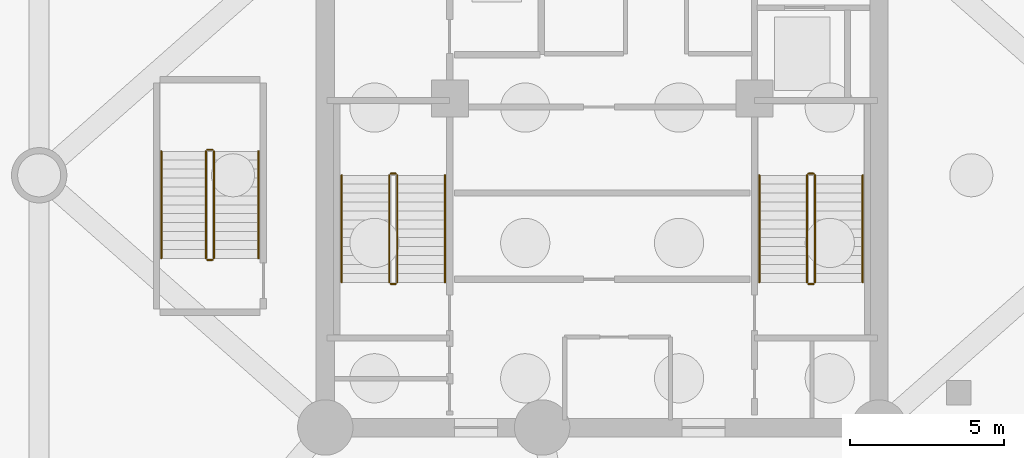
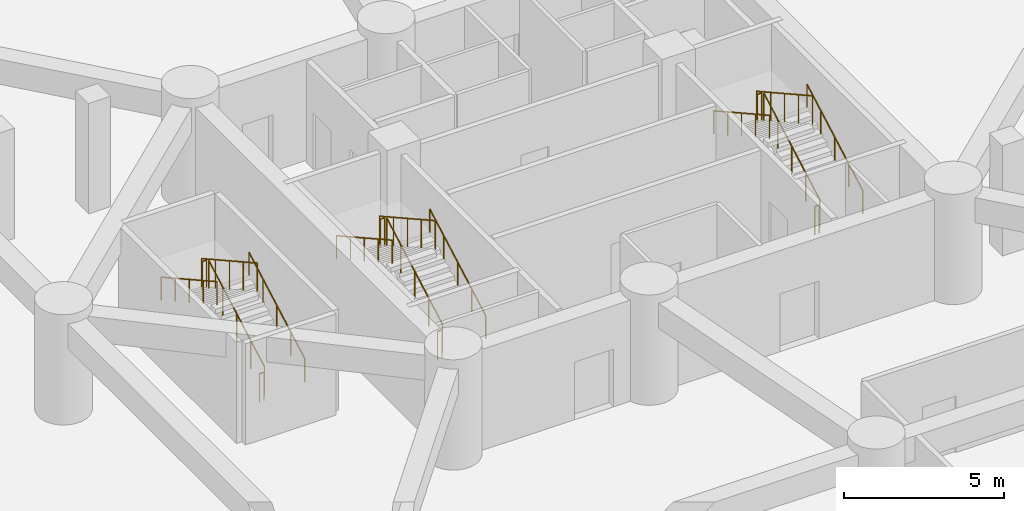
# One storey, part 9 of 13: 18 railings.
"""IFC4 building model written with IfcOpenShell, lengths in metres."""

from ifc_helpers import new_model, si_unit, direction, frame, origin, origin_2d, place, context, subcontext, project, spatial, circle, extrude, material, layer, layer_set, type_object, element, save


model = new_model("IFC4")

# Units and contexts
model_context = context("Model", 3, precision=1e-05, world=origin(), true_north=direction((0.0, 1.0)))
body_context = subcontext(model_context, "Body", "Model", "MODEL_VIEW")
ifc_project = project(units=[si_unit("LENGTHUNIT", "METRE"), si_unit("AREAUNIT", "SQUARE_METRE"), si_unit("VOLUMEUNIT", "CUBIC_METRE"), si_unit("PLANEANGLEUNIT", "RADIAN"), si_unit("MASSUNIT", "GRAM", prefix="KILO")], contexts=[model_context])

# Site, building, storey
site_placement = place(None, origin())
site = spatial("IfcSite", under=ifc_project, at=site_placement, CompositionType="ELEMENT")
building_placement = place(site_placement, origin())
building = spatial("IfcBuilding", under=site, at=building_placement, Name="Karkom Vertical University and Central Library", CompositionType="ELEMENT")
storey_placement = place(building_placement, frame((0.0, 0.0, -8.39990234375)))
storey = spatial("IfcBuildingStorey", under=building, at=storey_placement, Name="B02", CompositionType="ELEMENT", Elevation=-8.39990234375)

# Railings
ifc_material_1 = material(Name="Painted galvanised steel balustrade", Category="steel")
ifc_layer_1 = layer(ifc_material_1, 0.06005859375)
ifc_layer_set_1 = layer_set([ifc_layer_1], Name="Painted galvanised steel balustrade")
railing_type_1 = type_object("IfcRailingType", Name="INT-RL-GUARD1100", PredefinedType="GUARDRAIL", material=ifc_layer_set_1)
railing_1_placement = place(storey_placement, frame((21.840087890625, 23.02001953125, 0.161376953125)))
element("IfcRailing", 1, at=railing_1_placement, inside=storey, type_object=railing_type_1, Name="Basement 02 ST-1 stair guard 1", PredefinedType="GUARDRAIL", context=body_context, shape_type="SweptSolid", body=[
    extrude(circle(Radius=0.02392578125, at=origin_2d()), frame((0.0, 0.0, 1.076171875), z_axis=(0.0, 0.87360743253, 0.486631332559), x_axis=(-1.0, 0.0, 0.0)), (0.0, 0.0, 1.0), 3.9833984375),
    extrude(circle(Radius=0.02099609375, at=origin_2d()), origin(), (0.0, 0.0, 1.0), 1.052001953125),
    extrude(circle(Radius=0.02099609375, at=origin_2d()), frame((0.0, 0.8701171875, 0.484619140625)), (0.0, 0.0, 1.0), 1.052001953125),
    extrude(circle(Radius=0.02099609375, at=origin_2d()), frame((0.0, 1.739990234375, 0.96923828125)), (0.0, 0.0, 1.0), 1.052001953125),
    extrude(circle(Radius=0.02099609375, at=origin_2d()), frame((0.0, 2.60986328125, 1.453857421875)), (0.0, 0.0, 1.0), 1.052001953125),
    extrude(circle(Radius=0.02099609375, at=origin_2d()), frame((0.0, 3.47998046875, 1.9384765625)), (0.0, 0.0, 1.0), 1.052001953125),
])
railing_2_placement = place(storey_placement, frame((21.7900390625, 26.550048828125, 2.099853515625)))
element("IfcRailing", 2, at=railing_2_placement, inside=storey, type_object=railing_type_1, Name="Basement 02 ST-1 stair guard 2", PredefinedType="GUARDRAIL", context=body_context, shape_type="SweptSolid", body=[
    extrude(circle(Radius=0.02392578125, at=origin_2d()), frame((0.0, 0.0, 1.076171875), z_axis=(-1.0, 0.0, 0.0), x_axis=(0.0, -1.0, 0.0)), (0.0, 0.0, 1.0), 0.16015625),
    extrude(circle(Radius=0.02099609375, at=origin_2d()), origin(), (0.0, 0.0, 1.0), 1.052001953125),
    extrude(circle(Radius=0.02099609375, at=origin_2d()), frame((-0.16015625, 0.0, 0.0)), (0.0, 0.0, 1.0), 1.052001953125),
])
railing_3_placement = place(storey_placement, frame((21.580078125, 26.5, 2.261474609375)))
element("IfcRailing", 3, at=railing_3_placement, inside=storey, type_object=railing_type_1, Name="Basement 02 ST-1 stair guard 3", PredefinedType="GUARDRAIL", context=body_context, shape_type="SweptSolid", body=[
    extrude(circle(Radius=0.02392578125, at=origin_2d()), frame((0.0, 0.0, 1.076171875), z_axis=(0.0, -0.87360743253, 0.486631332559), x_axis=(1.0, 0.0, 0.0)), (0.0, 0.0, 1.0), 3.9833984375),
    extrude(circle(Radius=0.02099609375, at=origin_2d()), origin(), (0.0, 0.0, 1.0), 1.052001953125),
    extrude(circle(Radius=0.02099609375, at=origin_2d()), frame((0.0, -0.8701171875, 0.484619140625)), (0.0, 0.0, 1.0), 1.052001953125),
    extrude(circle(Radius=0.02099609375, at=origin_2d()), frame((0.0, -1.739990234375, 0.96923828125)), (0.0, 0.0, 1.0), 1.052001953125),
    extrude(circle(Radius=0.02099609375, at=origin_2d()), frame((0.0, -2.60986328125, 1.453857421875)), (0.0, 0.0, 1.0), 1.052001953125),
    extrude(circle(Radius=0.02099609375, at=origin_2d()), frame((0.0, -3.47998046875, 1.9384765625)), (0.0, 0.0, 1.0), 1.052001953125),
])
railing_4_placement = place(storey_placement, frame((21.7900390625, 22.969970703125, 0.0)))
element("IfcRailing", 4, at=railing_4_placement, inside=storey, type_object=railing_type_1, Name="Basement 02 ST-1 stair guard 4", PredefinedType="GUARDRAIL", context=body_context, shape_type="SweptSolid", body=[
    extrude(circle(Radius=0.02392578125, at=origin_2d()), frame((0.0, 0.0, 1.076171875), z_axis=(-1.0, 0.0, 0.0), x_axis=(0.0, -1.0, 0.0)), (0.0, 0.0, 1.0), 0.16015625),
    extrude(circle(Radius=0.02099609375, at=origin_2d()), origin(), (0.0, 0.0, 1.0), 1.052001953125),
    extrude(circle(Radius=0.02099609375, at=origin_2d()), frame((-0.16015625, 0.0, 0.0)), (0.0, 0.0, 1.0), 1.052001953125),
])
railing_5_placement = place(storey_placement, frame((35.419921875, 23.02001953125, 0.161376953125)))
element("IfcRailing", 5, at=railing_5_placement, inside=storey, type_object=railing_type_1, Name="Basement 02 ST-2 stair guard 1", PredefinedType="GUARDRAIL", context=body_context, shape_type="SweptSolid", body=[
    extrude(circle(Radius=0.02392578125, at=origin_2d()), frame((0.0, 0.0, 1.076171875), z_axis=(0.0, 0.87360743253, 0.486631332559), x_axis=(-1.0, 0.0, 0.0)), (0.0, 0.0, 1.0), 3.9833984375),
    extrude(circle(Radius=0.02099609375, at=origin_2d()), origin(), (0.0, 0.0, 1.0), 1.052001953125),
    extrude(circle(Radius=0.02099609375, at=origin_2d()), frame((0.0, 0.8701171875, 0.484619140625)), (0.0, 0.0, 1.0), 1.052001953125),
    extrude(circle(Radius=0.02099609375, at=origin_2d()), frame((0.0, 1.739990234375, 0.96923828125)), (0.0, 0.0, 1.0), 1.052001953125),
    extrude(circle(Radius=0.02099609375, at=origin_2d()), frame((0.0, 2.60986328125, 1.453857421875)), (0.0, 0.0, 1.0), 1.052001953125),
    extrude(circle(Radius=0.02099609375, at=origin_2d()), frame((0.0, 3.47998046875, 1.9384765625)), (0.0, 0.0, 1.0), 1.052001953125),
])
railing_6_placement = place(storey_placement, frame((35.3701171875, 26.550048828125, 2.099853515625)))
element("IfcRailing", 6, at=railing_6_placement, inside=storey, type_object=railing_type_1, Name="Basement 02 ST-2 stair guard 2", PredefinedType="GUARDRAIL", context=body_context, shape_type="SweptSolid", body=[
    extrude(circle(Radius=0.02392578125, at=origin_2d()), frame((0.0, 0.0, 1.076171875), z_axis=(-1.0, 0.0, 0.0), x_axis=(0.0, -1.0, 0.0)), (0.0, 0.0, 1.0), 0.16015625),
    extrude(circle(Radius=0.02099609375, at=origin_2d()), origin(), (0.0, 0.0, 1.0), 1.052001953125),
    extrude(circle(Radius=0.02099609375, at=origin_2d()), frame((-0.16015625, 0.0, 0.0)), (0.0, 0.0, 1.0), 1.052001953125),
])
railing_7_placement = place(storey_placement, frame((35.159912109375, 26.5, 2.261474609375)))
element("IfcRailing", 7, at=railing_7_placement, inside=storey, type_object=railing_type_1, Name="Basement 02 ST-2 stair guard 3", PredefinedType="GUARDRAIL", context=body_context, shape_type="SweptSolid", body=[
    extrude(circle(Radius=0.02392578125, at=origin_2d()), frame((0.0, 0.0, 1.076171875), z_axis=(0.0, -0.87360743253, 0.486631332559), x_axis=(1.0, 0.0, 0.0)), (0.0, 0.0, 1.0), 3.9833984375),
    extrude(circle(Radius=0.02099609375, at=origin_2d()), origin(), (0.0, 0.0, 1.0), 1.052001953125),
    extrude(circle(Radius=0.02099609375, at=origin_2d()), frame((0.0, -0.8701171875, 0.484619140625)), (0.0, 0.0, 1.0), 1.052001953125),
    extrude(circle(Radius=0.02099609375, at=origin_2d()), frame((0.0, -1.739990234375, 0.96923828125)), (0.0, 0.0, 1.0), 1.052001953125),
    extrude(circle(Radius=0.02099609375, at=origin_2d()), frame((0.0, -2.60986328125, 1.453857421875)), (0.0, 0.0, 1.0), 1.052001953125),
    extrude(circle(Radius=0.02099609375, at=origin_2d()), frame((0.0, -3.47998046875, 1.9384765625)), (0.0, 0.0, 1.0), 1.052001953125),
])
railing_8_placement = place(storey_placement, frame((35.3701171875, 22.969970703125, 0.0)))
element("IfcRailing", 8, at=railing_8_placement, inside=storey, type_object=railing_type_1, Name="Basement 02 ST-2 stair guard 4", PredefinedType="GUARDRAIL", context=body_context, shape_type="SweptSolid", body=[
    extrude(circle(Radius=0.02392578125, at=origin_2d()), frame((0.0, 0.0, 1.076171875), z_axis=(-1.0, 0.0, 0.0), x_axis=(0.0, -1.0, 0.0)), (0.0, 0.0, 1.0), 0.16015625),
    extrude(circle(Radius=0.02099609375, at=origin_2d()), origin(), (0.0, 0.0, 1.0), 1.052001953125),
    extrude(circle(Radius=0.02099609375, at=origin_2d()), frame((-0.16015625, 0.0, 0.0)), (0.0, 0.0, 1.0), 1.052001953125),
])
railing_9_placement = place(storey_placement, frame((15.8798828125, 23.800048828125, 0.161376953125)))
element("IfcRailing", 9, at=railing_9_placement, inside=storey, type_object=railing_type_1, Name="Basement 02 ST-3 stair guard 1", PredefinedType="GUARDRAIL", context=body_context, shape_type="SweptSolid", body=[
    extrude(circle(Radius=0.02392578125, at=origin_2d()), frame((0.0, 0.0, 1.076171875), z_axis=(0.0, 0.87360743253, 0.486631332559), x_axis=(-1.0, 0.0, 0.0)), (0.0, 0.0, 1.0), 3.9833984375),
    extrude(circle(Radius=0.02099609375, at=origin_2d()), origin(), (0.0, 0.0, 1.0), 1.052001953125),
    extrude(circle(Radius=0.02099609375, at=origin_2d()), frame((0.0, 0.8701171875, 0.484619140625)), (0.0, 0.0, 1.0), 1.052001953125),
    extrude(circle(Radius=0.02099609375, at=origin_2d()), frame((0.0, 1.739990234375, 0.96923828125)), (0.0, 0.0, 1.0), 1.052001953125),
    extrude(circle(Radius=0.02099609375, at=origin_2d()), frame((0.0, 2.60986328125, 1.453857421875)), (0.0, 0.0, 1.0), 1.052001953125),
    extrude(circle(Radius=0.02099609375, at=origin_2d()), frame((0.0, 3.47998046875, 1.9384765625)), (0.0, 0.0, 1.0), 1.052001953125),
])
railing_10_placement = place(storey_placement, frame((15.830078125, 27.330078125, 2.099853515625)))
element("IfcRailing", 10, at=railing_10_placement, inside=storey, type_object=railing_type_1, Name="Basement 02 ST-3 stair guard 2", PredefinedType="GUARDRAIL", context=body_context, shape_type="SweptSolid", body=[
    extrude(circle(Radius=0.02392578125, at=origin_2d()), frame((0.0, 0.0, 1.076171875), z_axis=(-1.0, 0.0, 0.0), x_axis=(0.0, -1.0, 0.0)), (0.0, 0.0, 1.0), 0.16015625),
    extrude(circle(Radius=0.02099609375, at=origin_2d()), origin(), (0.0, 0.0, 1.0), 1.052001953125),
    extrude(circle(Radius=0.02099609375, at=origin_2d()), frame((-0.16015625, 0.0, 0.0)), (0.0, 0.0, 1.0), 1.052001953125),
])
railing_11_placement = place(storey_placement, frame((15.6201171875, 27.280029296875, 2.261474609375)))
element("IfcRailing", 11, at=railing_11_placement, inside=storey, type_object=railing_type_1, Name="Basement 02 ST-3 stair guard 3", PredefinedType="GUARDRAIL", context=body_context, shape_type="SweptSolid", body=[
    extrude(circle(Radius=0.02392578125, at=origin_2d()), frame((0.0, 0.0, 1.076171875), z_axis=(0.0, -0.87360743253, 0.486631332559), x_axis=(1.0, 0.0, 0.0)), (0.0, 0.0, 1.0), 3.9833984375),
    extrude(circle(Radius=0.02099609375, at=origin_2d()), origin(), (0.0, 0.0, 1.0), 1.052001953125),
    extrude(circle(Radius=0.02099609375, at=origin_2d()), frame((0.0, -0.8701171875, 0.484619140625)), (0.0, 0.0, 1.0), 1.052001953125),
    extrude(circle(Radius=0.02099609375, at=origin_2d()), frame((0.0, -1.739990234375, 0.96923828125)), (0.0, 0.0, 1.0), 1.052001953125),
    extrude(circle(Radius=0.02099609375, at=origin_2d()), frame((0.0, -2.60986328125, 1.453857421875)), (0.0, 0.0, 1.0), 1.052001953125),
    extrude(circle(Radius=0.02099609375, at=origin_2d()), frame((0.0, -3.47998046875, 1.9384765625)), (0.0, 0.0, 1.0), 1.052001953125),
])
railing_12_placement = place(storey_placement, frame((15.830078125, 23.75, 0.0)))
element("IfcRailing", 12, at=railing_12_placement, inside=storey, type_object=railing_type_1, Name="Basement 02 ST-3 stair guard 4", PredefinedType="GUARDRAIL", context=body_context, shape_type="SweptSolid", body=[
    extrude(circle(Radius=0.02392578125, at=origin_2d()), frame((0.0, 0.0, 1.076171875), z_axis=(-1.0, 0.0, 0.0), x_axis=(0.0, -1.0, 0.0)), (0.0, 0.0, 1.0), 0.16015625),
    extrude(circle(Radius=0.02099609375, at=origin_2d()), origin(), (0.0, 0.0, 1.0), 1.052001953125),
    extrude(circle(Radius=0.02099609375, at=origin_2d()), frame((-0.16015625, 0.0, 0.0)), (0.0, 0.0, 1.0), 1.052001953125),
])
ifc_material_2 = material(Name="Brushed stainless-steel tubular handrail", Category="steel")
ifc_layer_2 = layer(ifc_material_2, 0.048095703125)
ifc_layer_set_2 = layer_set([ifc_layer_2], Name="Brushed stainless-steel tubular handrail")
railing_type_2 = type_object("IfcRailingType", Name="INT-RL-HAND920", PredefinedType="HANDRAIL", material=ifc_layer_set_2)
railing_13_placement = place(storey_placement, frame((23.389892578125, 23.02001953125, 0.161376953125)))
element("IfcRailing", 13, at=railing_13_placement, inside=storey, type_object=railing_type_2, Name="Basement 02 ST-1 stair handrail 1", PredefinedType="HANDRAIL", context=body_context, shape_type="SweptSolid", body=[
    extrude(circle(Radius=0.02392578125, at=origin_2d()), frame((0.0, 0.0, 0.8759765625), z_axis=(0.0, 0.87360743253, 0.486631332559), x_axis=(-1.0, 0.0, 0.0)), (0.0, 0.0, 1.0), 3.9833984375),
    extrude(circle(Radius=0.02099609375, at=origin_2d()), origin(), (0.0, 0.0, 1.0), 0.851806640625),
    extrude(circle(Radius=0.02099609375, at=origin_2d()), frame((0.0, 0.8701171875, 0.484619140625)), (0.0, 0.0, 1.0), 0.851806640625),
    extrude(circle(Radius=0.02099609375, at=origin_2d()), frame((0.0, 1.739990234375, 0.96923828125)), (0.0, 0.0, 1.0), 0.851806640625),
    extrude(circle(Radius=0.02099609375, at=origin_2d()), frame((0.0, 2.60986328125, 1.453857421875)), (0.0, 0.0, 1.0), 0.851806640625),
    extrude(circle(Radius=0.02099609375, at=origin_2d()), frame((0.0, 3.47998046875, 1.9384765625)), (0.0, 0.0, 1.0), 0.851806640625),
])
railing_14_placement = place(storey_placement, frame((20.030029296875, 26.5, 2.261474609375)))
element("IfcRailing", 14, at=railing_14_placement, inside=storey, type_object=railing_type_2, Name="Basement 02 ST-1 stair handrail 2", PredefinedType="HANDRAIL", context=body_context, shape_type="SweptSolid", body=[
    extrude(circle(Radius=0.02392578125, at=origin_2d()), frame((0.0, 0.0, 0.8759765625), z_axis=(0.0, -0.87360743253, 0.486631332559), x_axis=(1.0, 0.0, 0.0)), (0.0, 0.0, 1.0), 3.9833984375),
    extrude(circle(Radius=0.02099609375, at=origin_2d()), origin(), (0.0, 0.0, 1.0), 0.851806640625),
    extrude(circle(Radius=0.02099609375, at=origin_2d()), frame((0.0, -0.8701171875, 0.484619140625)), (0.0, 0.0, 1.0), 0.851806640625),
    extrude(circle(Radius=0.02099609375, at=origin_2d()), frame((0.0, -1.739990234375, 0.96923828125)), (0.0, 0.0, 1.0), 0.851806640625),
    extrude(circle(Radius=0.02099609375, at=origin_2d()), frame((0.0, -2.60986328125, 1.453857421875)), (0.0, 0.0, 1.0), 0.851806640625),
    extrude(circle(Radius=0.02099609375, at=origin_2d()), frame((0.0, -3.47998046875, 1.9384765625)), (0.0, 0.0, 1.0), 0.851806640625),
])
railing_15_placement = place(storey_placement, frame((36.969970703125, 23.02001953125, 0.161376953125)))
element("IfcRailing", 15, at=railing_15_placement, inside=storey, type_object=railing_type_2, Name="Basement 02 ST-2 stair handrail 1", PredefinedType="HANDRAIL", context=body_context, shape_type="SweptSolid", body=[
    extrude(circle(Radius=0.02392578125, at=origin_2d()), frame((0.0, 0.0, 0.8759765625), z_axis=(0.0, 0.87360743253, 0.486631332559), x_axis=(-1.0, 0.0, 0.0)), (0.0, 0.0, 1.0), 3.9833984375),
    extrude(circle(Radius=0.02099609375, at=origin_2d()), origin(), (0.0, 0.0, 1.0), 0.851806640625),
    extrude(circle(Radius=0.02099609375, at=origin_2d()), frame((0.0, 0.8701171875, 0.484619140625)), (0.0, 0.0, 1.0), 0.851806640625),
    extrude(circle(Radius=0.02099609375, at=origin_2d()), frame((0.0, 1.739990234375, 0.96923828125)), (0.0, 0.0, 1.0), 0.851806640625),
    extrude(circle(Radius=0.02099609375, at=origin_2d()), frame((0.0, 2.60986328125, 1.453857421875)), (0.0, 0.0, 1.0), 0.851806640625),
    extrude(circle(Radius=0.02099609375, at=origin_2d()), frame((0.0, 3.47998046875, 1.9384765625)), (0.0, 0.0, 1.0), 0.851806640625),
])
railing_16_placement = place(storey_placement, frame((33.610107421875, 26.5, 2.261474609375)))
element("IfcRailing", 16, at=railing_16_placement, inside=storey, type_object=railing_type_2, Name="Basement 02 ST-2 stair handrail 2", PredefinedType="HANDRAIL", context=body_context, shape_type="SweptSolid", body=[
    extrude(circle(Radius=0.02392578125, at=origin_2d()), frame((0.0, 0.0, 0.8759765625), z_axis=(0.0, -0.87360743253, 0.486631332559), x_axis=(1.0, 0.0, 0.0)), (0.0, 0.0, 1.0), 3.9833984375),
    extrude(circle(Radius=0.02099609375, at=origin_2d()), origin(), (0.0, 0.0, 1.0), 0.851806640625),
    extrude(circle(Radius=0.02099609375, at=origin_2d()), frame((0.0, -0.8701171875, 0.484619140625)), (0.0, 0.0, 1.0), 0.851806640625),
    extrude(circle(Radius=0.02099609375, at=origin_2d()), frame((0.0, -1.739990234375, 0.96923828125)), (0.0, 0.0, 1.0), 0.851806640625),
    extrude(circle(Radius=0.02099609375, at=origin_2d()), frame((0.0, -2.60986328125, 1.453857421875)), (0.0, 0.0, 1.0), 0.851806640625),
    extrude(circle(Radius=0.02099609375, at=origin_2d()), frame((0.0, -3.47998046875, 1.9384765625)), (0.0, 0.0, 1.0), 0.851806640625),
])
railing_17_placement = place(storey_placement, frame((17.330078125, 23.800048828125, 0.161376953125)))
element("IfcRailing", 17, at=railing_17_placement, inside=storey, type_object=railing_type_2, Name="Basement 02 ST-3 stair handrail 1", PredefinedType="HANDRAIL", context=body_context, shape_type="SweptSolid", body=[
    extrude(circle(Radius=0.02392578125, at=origin_2d()), frame((0.0, 0.0, 0.8759765625), z_axis=(0.0, 0.87360743253, 0.486631332559), x_axis=(-1.0, 0.0, 0.0)), (0.0, 0.0, 1.0), 3.9833984375),
    extrude(circle(Radius=0.02099609375, at=origin_2d()), origin(), (0.0, 0.0, 1.0), 0.851806640625),
    extrude(circle(Radius=0.02099609375, at=origin_2d()), frame((0.0, 0.8701171875, 0.484619140625)), (0.0, 0.0, 1.0), 0.851806640625),
    extrude(circle(Radius=0.02099609375, at=origin_2d()), frame((0.0, 1.739990234375, 0.96923828125)), (0.0, 0.0, 1.0), 0.851806640625),
    extrude(circle(Radius=0.02099609375, at=origin_2d()), frame((0.0, 2.60986328125, 1.453857421875)), (0.0, 0.0, 1.0), 0.851806640625),
    extrude(circle(Radius=0.02099609375, at=origin_2d()), frame((0.0, 3.47998046875, 1.9384765625)), (0.0, 0.0, 1.0), 0.851806640625),
])
railing_18_placement = place(storey_placement, frame((14.169921875, 27.280029296875, 2.261474609375)))
element("IfcRailing", 18, at=railing_18_placement, inside=storey, type_object=railing_type_2, Name="Basement 02 ST-3 stair handrail 2", PredefinedType="HANDRAIL", context=body_context, shape_type="SweptSolid", body=[
    extrude(circle(Radius=0.02392578125, at=origin_2d()), frame((0.0, 0.0, 0.8759765625), z_axis=(0.0, -0.87360743253, 0.486631332559), x_axis=(1.0, 0.0, 0.0)), (0.0, 0.0, 1.0), 3.9833984375),
    extrude(circle(Radius=0.02099609375, at=origin_2d()), origin(), (0.0, 0.0, 1.0), 0.851806640625),
    extrude(circle(Radius=0.02099609375, at=origin_2d()), frame((0.0, -0.8701171875, 0.484619140625)), (0.0, 0.0, 1.0), 0.851806640625),
    extrude(circle(Radius=0.02099609375, at=origin_2d()), frame((0.0, -1.739990234375, 0.96923828125)), (0.0, 0.0, 1.0), 0.851806640625),
    extrude(circle(Radius=0.02099609375, at=origin_2d()), frame((0.0, -2.60986328125, 1.453857421875)), (0.0, 0.0, 1.0), 0.851806640625),
    extrude(circle(Radius=0.02099609375, at=origin_2d()), frame((0.0, -3.47998046875, 1.9384765625)), (0.0, 0.0, 1.0), 0.851806640625),
])

save(model, "model.ifc")
